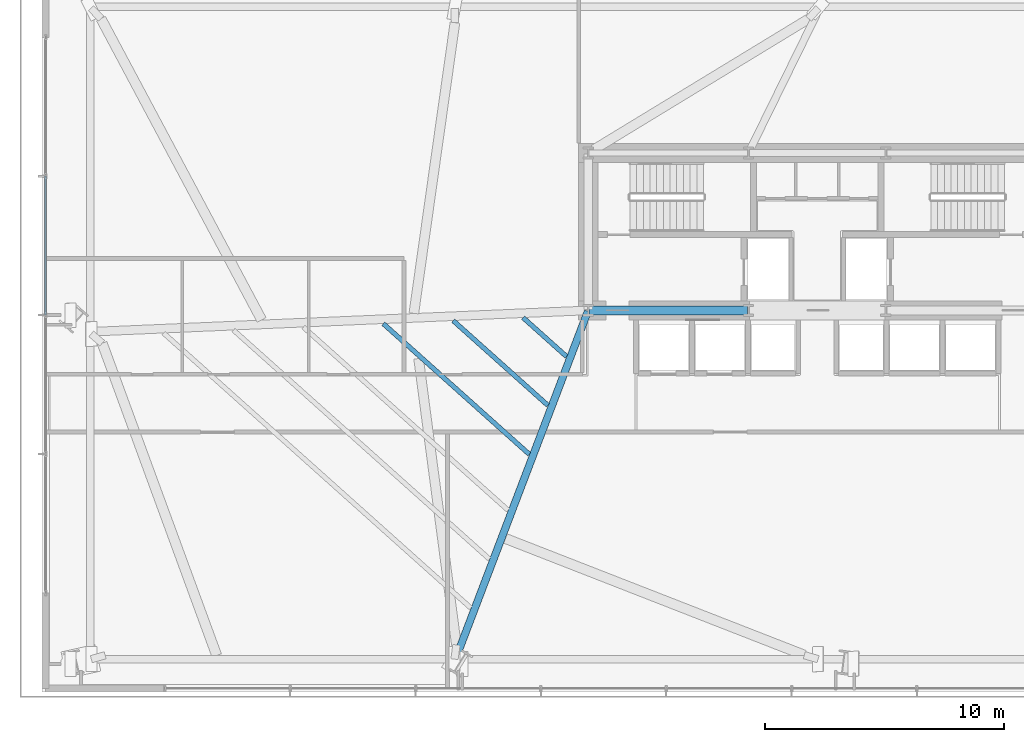
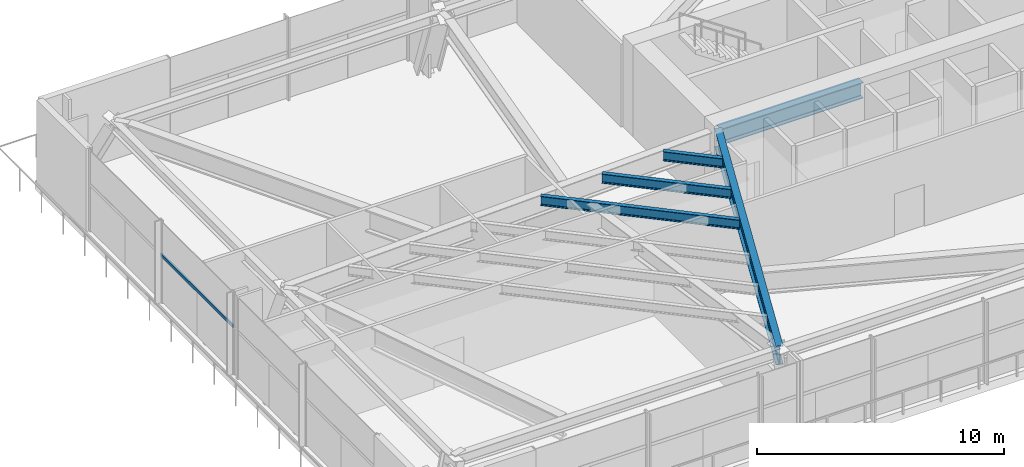
# One storey, part 8 of 30: 5 beams, 1 member, 1 element without a shape of its own.
"""IFC4 building model written with IfcOpenShell, lengths in metres."""

from ifc_helpers import new_model, si_unit, direction, frame, origin, origin_2d, place, context, subcontext, project, spatial, hollow_rectangle, i_section, extrude, source, transform, mapped, material, material_profile, profile_set, type_object, type_shapes, element, aggregate, save


model = new_model("IFC4")

# Units and contexts
model_context = context("Model", 3, precision=1e-05, world=origin(), true_north=direction((0.0, 1.0)))
body_context = subcontext(model_context, "Body", "Model", "MODEL_VIEW")
ifc_project = project(units=[si_unit("LENGTHUNIT", "METRE"), si_unit("AREAUNIT", "SQUARE_METRE"), si_unit("VOLUMEUNIT", "CUBIC_METRE"), si_unit("PLANEANGLEUNIT", "RADIAN"), si_unit("MASSUNIT", "GRAM", prefix="KILO")], contexts=[model_context])

# Site, building, storey
site_placement = place(None, origin())
site = spatial("IfcSite", under=ifc_project, at=site_placement, CompositionType="ELEMENT")
building_placement = place(site_placement, origin())
building = spatial("IfcBuilding", under=site, at=building_placement, Name="Astriad Promenade Condominiums", CompositionType="ELEMENT")
storey_placement = place(building_placement, frame((0.0, 0.0, 14.0)))
storey = spatial("IfcBuildingStorey", under=building, at=storey_placement, Name="L03", CompositionType="ELEMENT", Elevation=14.0)

# Beams
ifc_material_1 = material(Name="Steel ASTM A992 Grade 50", Category="steel")
ifc_material_profile_1 = material_profile(ifc_material_1, i_section(OverallWidth=0.3837890625, OverallDepth=0.785888671875, WebThickness=0.019775390625, FlangeThickness=0.033447265625, FilletRadius=0.021484375, at=origin_2d()), Name="W30X211")
ifc_profile_set_1 = profile_set([ifc_material_profile_1], Name="Steel ASTM A992 Grade 50")
beam_type_1 = type_object("IfcBeamType", Name="STEEL FLOOR GIRDER W30X211", PredefinedType="BEAM", material=ifc_profile_set_1)
shared_shape_1 = source(origin(), body_context, "Body", "SweptSolid", [
    extrude(i_section(OverallWidth=0.3837890625, OverallDepth=0.785888671875, WebThickness=0.019775390625, FlangeThickness=0.033447265625, FilletRadius=0.021484375, at=origin_2d()), origin(), (0.0, 0.0, 1.0), 6.64013671875),
])
type_shapes(beam_type_1, [shared_shape_1])
beam_1_placement = place(storey_placement, frame((26.43994140625, 17.39990234375, 3.68701171875), z_axis=(1.0, 0.0, 0.0), x_axis=(0.0, 1.0, 0.0)))
element("IfcBeam", 1, at=beam_1_placement, inside=storey, type_object=beam_type_1, Name="Core Ring Beam CG-S1-L03", PredefinedType="BEAM", context=body_context, shape_type="MappedRepresentation", body=[
    mapped(shared_shape_1, transform((0.0, 0.0, 0.0), scale=1.0)),
])
ifc_material_profile_2 = material_profile(ifc_material_1, i_section(OverallWidth=0.307861328125, OverallDepth=0.9267578125, WebThickness=0.019287109375, FlangeThickness=0.031982421875, FilletRadius=0.024169921875, at=origin_2d()), Name="W36X194")
ifc_profile_set_2 = profile_set([ifc_material_profile_2], Name="Steel ASTM A992 Grade 50")
beam_type_2 = type_object("IfcBeamType", Name="STEEL PRIMARY GIRDER W36X194", PredefinedType="BEAM", material=ifc_profile_set_2)
shared_shape_2 = source(origin(), body_context, "Body", "SweptSolid", [
    extrude(i_section(OverallWidth=0.307861328125, OverallDepth=0.9267578125, WebThickness=0.019287109375, FlangeThickness=0.031982421875, FilletRadius=0.024169921875, at=origin_2d()), origin(), (0.0, 0.0, 1.0), 15.58740234375),
])
type_shapes(beam_type_2, [shared_shape_2])
beam_2_placement = place(storey_placement, frame((20.841064453125, 2.794677734375, 3.61669921875), z_axis=(0.355715895066, 0.934594137579, 0.0), x_axis=(-0.934594137579, 0.355715895066, 0.0)))
element("IfcBeam", 2, at=beam_2_placement, inside=storey, type_object=beam_type_2, Name="Primary Floor Girder PG-W2-L03", PredefinedType="BEAM", context=body_context, shape_type="MappedRepresentation", body=[
    mapped(shared_shape_2, transform((0.0, 0.0, 0.0), scale=1.0)),
])
ifc_material_profile_3 = material_profile(ifc_material_1, i_section(OverallWidth=0.19287109375, OverallDepth=0.466064453125, WebThickness=0.011474609375, FlangeThickness=0.01904296875, FilletRadius=0.01513671875, at=origin_2d()), Name="W18X65")
ifc_profile_set_3 = profile_set([ifc_material_profile_3], Name="Steel ASTM A992 Grade 50")
beam_type_3 = type_object("IfcBeamType", Name="STEEL FLOOR JOIST W18X65", PredefinedType="JOIST", material=ifc_profile_set_3)
shared_shape_3 = source(origin(), body_context, "Body", "SweptSolid", [
    extrude(i_section(OverallWidth=0.19287109375, OverallDepth=0.466064453125, WebThickness=0.011474609375, FlangeThickness=0.01904296875, FilletRadius=0.01513671875, at=origin_2d()), origin(), (0.0, 0.0, 1.0), 8.212890625),
])
beam_3_placement = place(storey_placement, frame((17.808349609375, 16.843017578125, 3.846923828125), z_axis=(0.745242090986, -0.666793990542, 0.0), x_axis=(0.666793990542, 0.745242090986, 0.0)))
element("IfcBeam", 3, at=beam_3_placement, inside=storey, type_object=beam_type_3, Name="Secondary Composite Floor Joist JW1-4-L03", PredefinedType="JOIST", context=body_context, shape_type="MappedRepresentation", body=[
    mapped(shared_shape_3, transform((0.0, 0.0, 0.0), scale=1.0)),
])
shared_shape_4 = source(origin(), body_context, "Body", "SweptSolid", [
    extrude(i_section(OverallWidth=0.19287109375, OverallDepth=0.466064453125, WebThickness=0.011474609375, FlangeThickness=0.01904296875, FilletRadius=0.01513671875, at=origin_2d()), origin(), (0.0, 0.0, 1.0), 5.32763671875),
])
beam_4_placement = place(storey_placement, frame((20.739013671875, 16.968994140625, 3.846923828125), z_axis=(0.74522333534, -0.666814952191, 0.0), x_axis=(0.666814952191, 0.74522333534, 0.0)))
element("IfcBeam", 4, at=beam_4_placement, inside=storey, type_object=beam_type_3, Name="Secondary Composite Floor Joist JW1-5-L03", PredefinedType="JOIST", context=body_context, shape_type="MappedRepresentation", body=[
    mapped(shared_shape_4, transform((0.0, 0.0, 0.0), scale=1.0)),
])
shared_shape_5 = source(origin(), body_context, "Body", "SweptSolid", [
    extrude(i_section(OverallWidth=0.19287109375, OverallDepth=0.466064453125, WebThickness=0.011474609375, FlangeThickness=0.01904296875, FilletRadius=0.01513671875, at=origin_2d()), origin(), (0.0, 0.0, 1.0), 2.442138671875),
])
type_shapes(beam_type_3, [shared_shape_3, shared_shape_4, shared_shape_5])
beam_5_placement = place(storey_placement, frame((23.669677734375, 17.094970703125, 3.846923828125), z_axis=(0.745209936087, -0.666829926711, 0.0), x_axis=(0.666829926711, 0.745209936087, 0.0)))
element("IfcBeam", 5, at=beam_5_placement, inside=storey, type_object=beam_type_3, Name="Secondary Composite Floor Joist JW1-6-L03", PredefinedType="JOIST", context=body_context, shape_type="MappedRepresentation", body=[
    mapped(shared_shape_5, transform((0.0, 0.0, 0.0), scale=1.0)),
])

# Curtain wall, member
ifc_material_2 = material(Name="Anodised aluminium Black Dark Glass Unitised", Category="aluminium")
curtain_wall_type = type_object("IfcCurtainWallType", Name="CW-POD-DARK", PredefinedType="USERDEFINED", material=ifc_material_2)
curtain_wall_placement = place(storey_placement, origin())
curtain_wall = element("IfcCurtainWall", 6, at=curtain_wall_placement, inside=storey, type_object=curtain_wall_type, Name="CW-L03-W", ObjectType="UNITISED_CURTAIN_WALL", PredefinedType="USERDEFINED")
ifc_material_3 = material(Name="Anodised aluminium 6063-T6 Black", Category="aluminium")
ifc_material_profile_4 = material_profile(ifc_material_3, hollow_rectangle(XDim=0.074951171875, YDim=0.14990234375, WallThickness=0.004150390625, at=origin_2d()), Name="ALU-TRN-75X150")
ifc_profile_set_4 = profile_set([ifc_material_profile_4], Name="Anodised aluminium 6063-T6 Black")
member_type = type_object("IfcMemberType", Name="TRN-ALU-TRN-75X150", PredefinedType="USERDEFINED", material=ifc_profile_set_4)
shared_shape_6 = source(origin(), body_context, "Body", "SweptSolid", [
    extrude(hollow_rectangle(XDim=0.074951171875, YDim=0.14990234375, WallThickness=0.004150390625, at=origin_2d()), origin(), (0.0, 0.0, 1.0), 5.824951171875),
])
type_shapes(member_type, [shared_shape_6])
member_placement = place(storey_placement, frame((3.64990234375, 17.199951171875, 2.35009765625), z_axis=(0.0, 1.0, 0.0), x_axis=(-1.0, 0.0, 0.0)))
member = element("IfcMember", 7, at=member_placement, type_object=member_type, Name="CW-L03-W-TRN-02-0", ObjectType="TRANSOM", PredefinedType="USERDEFINED", context=body_context, shape_type="MappedRepresentation", body=[
    mapped(shared_shape_6, transform((0.0, 0.0, 0.0), scale=1.0)),
])
aggregate(curtain_wall, [member])

save(model, "model.ifc")
